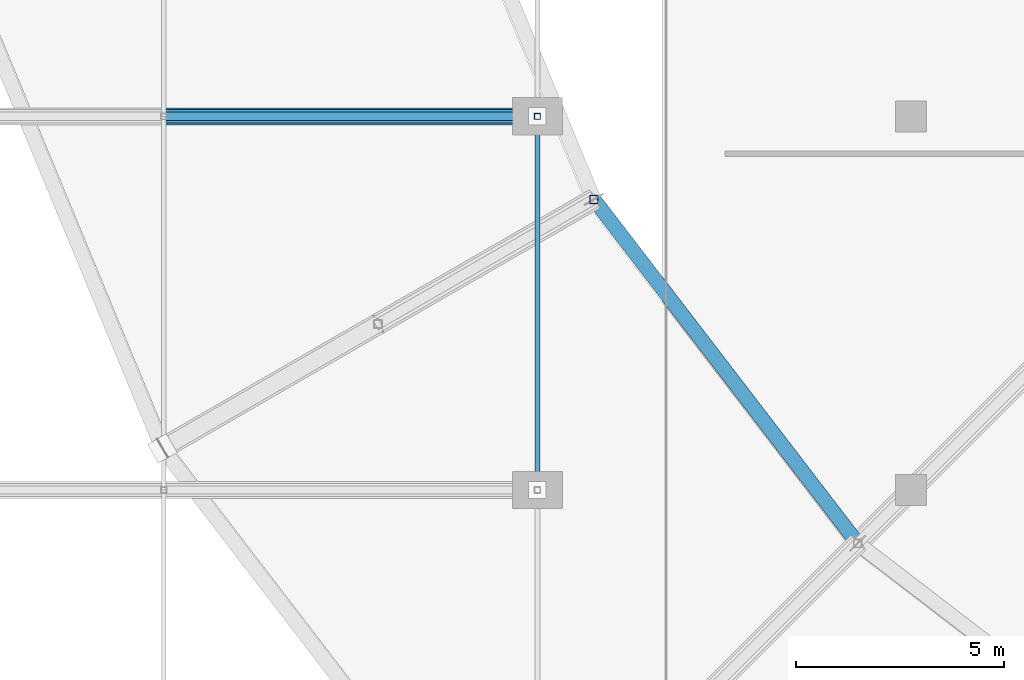
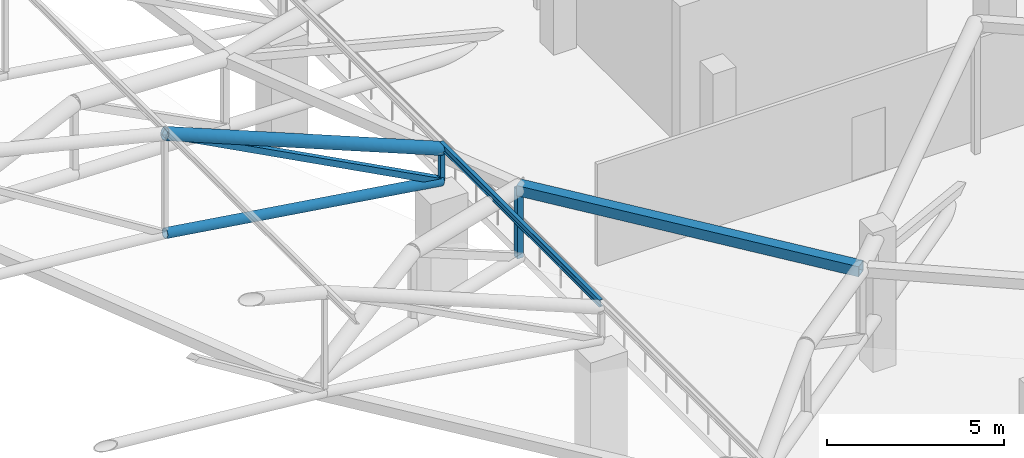
# One storey, part 21 of 167: 7 members.
"""IFC4 building model written with IfcOpenShell, lengths in metres."""

from ifc_helpers import new_model, si_unit, direction, frame, origin, origin_2d, place, context, subcontext, project, spatial, hollow_rectangle, hollow_circle, i_section, extrude, material, material_profile, profile_set, type_object, element, save


model = new_model("IFC4")

# Units and contexts
model_context = context("Model", 3, precision=1e-05, world=origin(), true_north=direction((0.0, 1.0)))
body_context = subcontext(model_context, "Body", "Model", "MODEL_VIEW")
ifc_project = project(units=[si_unit("LENGTHUNIT", "METRE"), si_unit("AREAUNIT", "SQUARE_METRE"), si_unit("VOLUMEUNIT", "CUBIC_METRE"), si_unit("PLANEANGLEUNIT", "RADIAN"), si_unit("MASSUNIT", "GRAM", prefix="KILO")], contexts=[model_context])

# Site, building, storey
site_placement = place(None, origin())
site = spatial("IfcSite", under=ifc_project, at=site_placement, CompositionType="ELEMENT")
building_placement = place(site_placement, origin())
building = spatial("IfcBuilding", under=site, at=building_placement, Name="Dornveld Trade and Exhibition Forum", CompositionType="ELEMENT")
storey_placement = place(building_placement, frame((0.0, 0.0, 16.800048828125)))
storey = spatial("IfcBuildingStorey", under=building, at=storey_placement, Name="L03", CompositionType="ELEMENT", Elevation=16.800048828125)

# Members
ifc_material_1 = material(Name="Steel S355J2", Category="steel")
ifc_material_profile_1 = material_profile(ifc_material_1, hollow_circle(Radius=0.161865234375, WallThickness=0.01611328125, at=origin_2d()), Name="CHS 323.9x16")
ifc_profile_set_1 = profile_set([ifc_material_profile_1], Name="Steel S355J2")
member_type_1 = type_object("IfcMemberType", Name="MEM-ARCH-BC", PredefinedType="CHORD", material=ifc_profile_set_1)
member_1_placement = place(storey_placement, frame((72.0, 63.0, 5.283203125), z_axis=(0.989204758987, 0.0, -0.146539908551), x_axis=(0.0, 1.0, 0.0)))
element("IfcMember", 1, at=member_1_placement, inside=storey, type_object=member_type_1, Name="H3 truss 4 tie chord 6", PredefinedType="CHORD", context=body_context, shape_type="SweptSolid", body=[
    extrude(hollow_circle(Radius=0.161865234375, WallThickness=0.01611328125, at=origin_2d()), origin(), (0.0, 0.0, 1.0), 9.09814453125),
])
ifc_material_2 = material(Name="Steel S355J2", Category="steel")
ifc_material_profile_2 = material_profile(ifc_material_2, hollow_rectangle(XDim=0.14990234375, YDim=0.14990234375, WallThickness=0.008056640625, at=origin_2d()), Name="SHS 150x150x8")
ifc_profile_set_2 = profile_set([ifc_material_profile_2], Name="Steel S355J2")
member_type_2 = type_object("IfcMemberType", Name="MEM-ARCH-STR", PredefinedType="STRUT", material=ifc_profile_set_2)
member_2_placement = place(storey_placement, frame((81.0, 63.0, 3.949951171875), z_axis=(0.0, 0.0, 1.0), x_axis=(1.0, 0.0, 0.0)))
element("IfcMember", 2, at=member_2_placement, inside=storey, type_object=member_type_2, Name="H3 truss 4 end strut", PredefinedType="STRUT", context=body_context, shape_type="SweptSolid", body=[
    extrude(hollow_rectangle(XDim=0.14990234375, YDim=0.14990234375, WallThickness=0.008056640625, at=origin_2d()), origin(), (0.0, 0.0, 1.0), 1.10009765625),
])
ifc_material_3 = material(Name="Steel S355J2", Category="steel")
ifc_material_profile_3 = material_profile(ifc_material_3, hollow_circle(Radius=0.203125, WallThickness=0.02001953125, at=origin_2d()), Name="CHS 406.4x20")
ifc_profile_set_3 = profile_set([ifc_material_profile_3], Name="Steel S355J2")
member_type_3 = type_object("IfcMemberType", Name="MEM-ARCH-TC", PredefinedType="CHORD", material=ifc_profile_set_3)
member_3_placement = place(storey_placement, frame((72.0, 63.0, 8.716552734375), z_axis=(0.926098211611, 0.0, -0.377282523383), x_axis=(0.0, 1.0, 0.0)))
element("IfcMember", 3, at=member_3_placement, inside=storey, type_object=member_type_3, Name="H3 truss 4 top chord 6", PredefinedType="CHORD", context=body_context, shape_type="SweptSolid", body=[
    extrude(hollow_circle(Radius=0.203125, WallThickness=0.02001953125, at=origin_2d()), origin(), (0.0, 0.0, 1.0), 9.71826171875),
])
ifc_material_4 = material(Name="Steel S355J2", Category="steel")
ifc_material_profile_4 = material_profile(ifc_material_4, hollow_rectangle(XDim=0.199951171875, YDim=0.199951171875, WallThickness=0.010009765625, at=origin_2d()), Name="SHS 200x200x10")
ifc_profile_set_4 = profile_set([ifc_material_profile_4], Name="Steel S355J2")
member_type_4 = type_object("IfcMemberType", Name="MEM-ARCH-WEB", PredefinedType="BRACE", material=ifc_profile_set_4)
member_4_placement = place(storey_placement, frame((81.0, 63.0, 3.949951171875), z_axis=(-0.883710934211, 0.0, 0.468033102201), x_axis=(0.0, -1.0, 0.0)))
element("IfcMember", 4, at=member_4_placement, inside=storey, type_object=member_type_4, Name="H3 truss 4 web 6", PredefinedType="BRACE", context=body_context, shape_type="SweptSolid", body=[
    extrude(hollow_rectangle(XDim=0.199951171875, YDim=0.199951171875, WallThickness=0.010009765625, at=origin_2d()), origin(), (0.0, 0.0, 1.0), 10.184326171875),
])
ifc_material_5 = material(Name="Steel S355J2", Category="steel")
ifc_material_profile_5 = material_profile(ifc_material_5, hollow_rectangle(XDim=0.35009765625, YDim=0.35009765625, WallThickness=0.01611328125, at=origin_2d()), Name="SHS 350x350x16")
ifc_profile_set_5 = profile_set([ifc_material_profile_5], Name="Steel S355J2")
member_type_5 = type_object("IfcMemberType", Name="MEM-DISC-RING", PredefinedType="CHORD", material=ifc_profile_set_5)
member_5_placement = place(storey_placement, frame((82.35888671875, 61.0, 4.449951171875), z_axis=(0.608777037117, -0.793341363525, 0.0), x_axis=(0.793341363525, 0.608777037117, 0.0)))
element("IfcMember", 5, at=member_5_placement, inside=storey, type_object=member_type_5, Name="Roof disc ring 3 chord 15", PredefinedType="CHORD", context=body_context, shape_type="SweptSolid", body=[
    extrude(hollow_rectangle(XDim=0.35009765625, YDim=0.35009765625, WallThickness=0.01611328125, at=origin_2d()), origin(), (0.0, 0.0, 1.0), 10.442138671875),
])
ifc_material_6 = material(Name="Steel S355J2", Category="steel")
ifc_material_profile_6 = material_profile(ifc_material_6, hollow_rectangle(XDim=0.199951171875, YDim=0.199951171875, WallThickness=0.010009765625, at=origin_2d()), Name="SHS 200x200x10")
ifc_profile_set_6 = profile_set([ifc_material_profile_6], Name="Steel S355J2")
member_type_6 = type_object("IfcMemberType", Name="MEM-DISC-STR", PredefinedType="STRUT", material=ifc_profile_set_6)
member_6_placement = place(storey_placement, frame((82.35888671875, 61.0, 2.07568359375), z_axis=(0.0, 0.0, 1.0), x_axis=(1.0, 0.0, 0.0)))
element("IfcMember", 6, at=member_6_placement, inside=storey, type_object=member_type_6, Name="Roof disc radial R15 strut 3", PredefinedType="STRUT", context=body_context, shape_type="SweptSolid", body=[
    extrude(hollow_rectangle(XDim=0.199951171875, YDim=0.199951171875, WallThickness=0.010009765625, at=origin_2d()), origin(), (0.0, 0.0, 1.0), 2.374267578125),
])
ifc_material_7 = material(Name="Steel S355J2", Category="steel")
ifc_material_profile_7 = material_profile(ifc_material_7, i_section(OverallWidth=0.1201171875, OverallDepth=0.239990234375, WebThickness=0.006103515625, FlangeThickness=0.009765625, FilletRadius=0.014892578125, at=origin_2d()), Name="IPE 240")
ifc_profile_set_7 = profile_set([ifc_material_profile_7], Name="Steel S355J2")
member_type_7 = type_object("IfcMemberType", Name="MEM-PURLIN-240", PredefinedType="PURLIN", material=ifc_profile_set_7)
member_7_placement = place(storey_placement, frame((81.0, 54.0, 5.181884765625), z_axis=(0.0, 1.0, 0.0), x_axis=(-1.0, 0.0, 0.0)))
element("IfcMember", 7, at=member_7_placement, inside=storey, type_object=member_type_7, Name="H3 bay 3 roof purlin 7", PredefinedType="PURLIN", context=body_context, shape_type="SweptSolid", body=[
    extrude(i_section(OverallWidth=0.1201171875, OverallDepth=0.239990234375, WebThickness=0.006103515625, FlangeThickness=0.009765625, FilletRadius=0.014892578125, at=origin_2d()), origin(), (0.0, 0.0, 1.0), 9.0),
])

save(model, "model.ifc")
